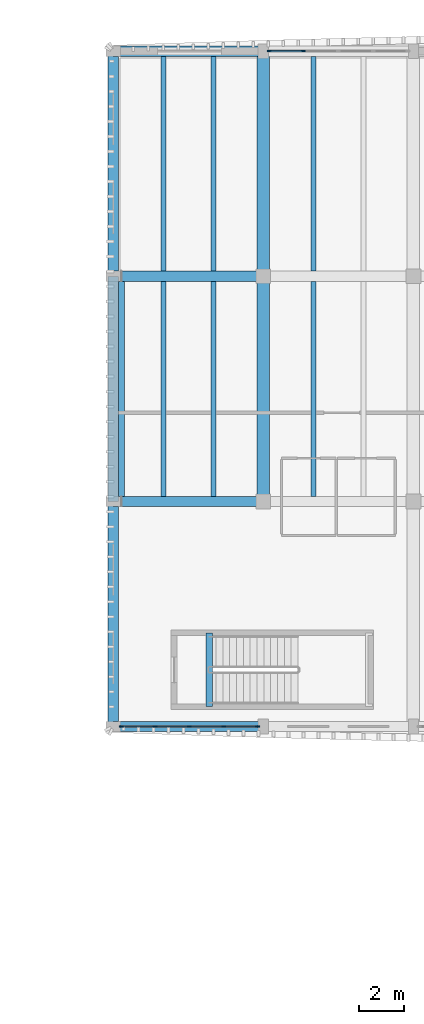
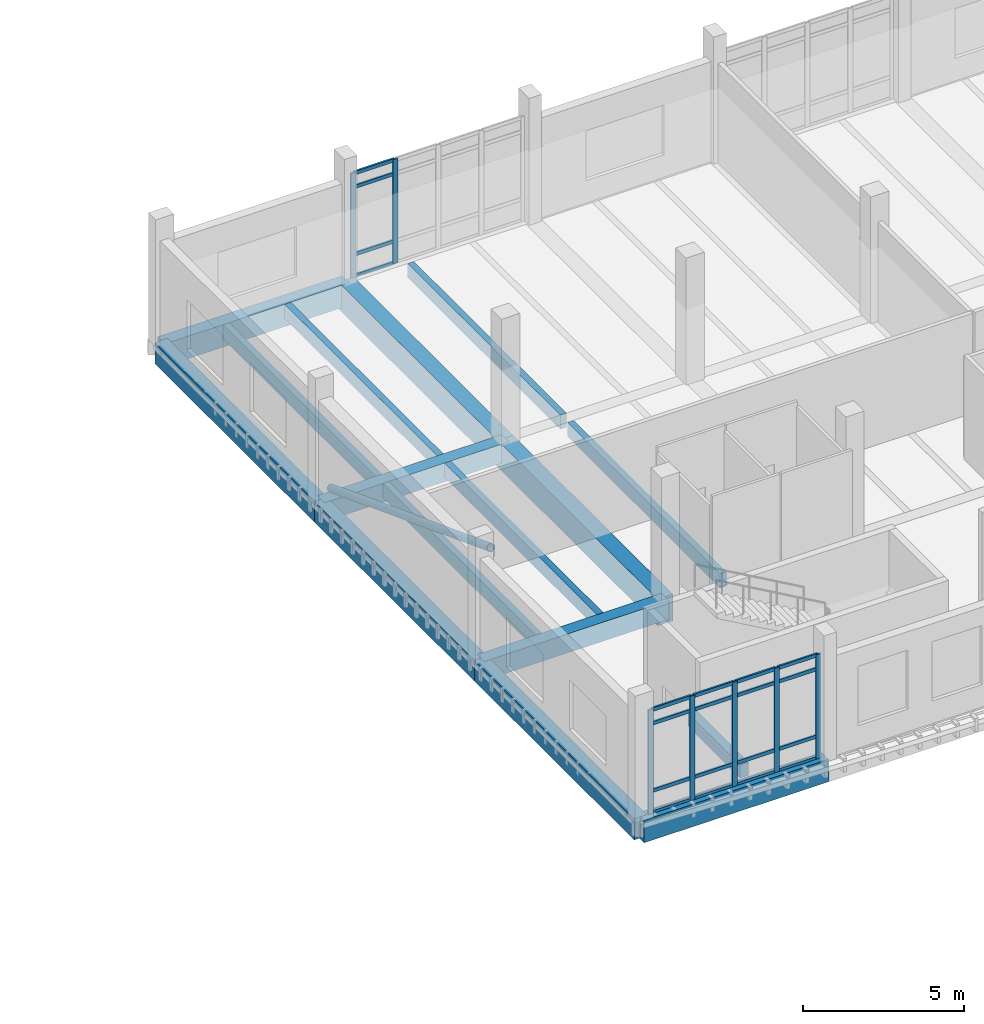
# One storey, part 22 of 76: 28 members, 16 beams, 2 elements without a shape of their own.
"""IFC4 building model written with IfcOpenShell, lengths in metres."""

from ifc_helpers import new_model, si_unit, direction, frame, origin, origin_2d, place, context, subcontext, project, spatial, rectangle, hollow_circle, extrude, material, material_profile, profile_set, type_object, element, aggregate, save


model = new_model("IFC4")

# Units and contexts
model_context = context("Model", 3, precision=1e-05, world=origin(), true_north=direction((0.0, 1.0)))
body_context = subcontext(model_context, "Body", "Model", "MODEL_VIEW")
ifc_project = project(units=[si_unit("LENGTHUNIT", "METRE"), si_unit("AREAUNIT", "SQUARE_METRE"), si_unit("VOLUMEUNIT", "CUBIC_METRE"), si_unit("PLANEANGLEUNIT", "RADIAN"), si_unit("MASSUNIT", "GRAM", prefix="KILO")], contexts=[model_context])

# Site, building, storey
site_placement = place(None, origin())
site = spatial("IfcSite", under=ifc_project, at=site_placement, CompositionType="ELEMENT")
building_placement = place(site_placement, origin())
building = spatial("IfcBuilding", under=site, at=building_placement, Name="Dornvale Research Institute", CompositionType="ELEMENT")
storey_placement = place(building_placement, frame((0.0, 0.0, 15.0)))
storey = spatial("IfcBuildingStorey", under=building, at=storey_placement, Name="L03", CompositionType="ELEMENT", Elevation=15.0)

# Beams
ifc_material_1 = material(Name="Concrete f'c 45 MPa (C35/45)", Category="concrete")
ifc_material_profile_1 = material_profile(ifc_material_1, rectangle(XDim=0.300048828125, YDim=0.5, at=origin_2d()), Name="RC 300x500")
ifc_profile_set_1 = profile_set([ifc_material_profile_1], Name="Concrete f'c 45 MPa (C35/45)")
beam_type_1 = type_object("IfcBeamType", Name="Beam_RC300x500_Trim", PredefinedType="BEAM", material=ifc_profile_set_1)
beam_1_placement = place(storey_placement, frame((123.02001953125, 93.280029296875, -0.25), z_axis=(0.0, 1.0, 0.0), x_axis=(-1.0, 0.0, 0.0)))
element("IfcBeam", 1, at=beam_1_placement, inside=storey, type_object=beam_type_1, Name="L03 ST-3 stair landing trimmer beam #50", PredefinedType="BEAM", context=body_context, shape_type="SweptSolid", body=[
    extrude(rectangle(XDim=0.300048828125, YDim=0.5, at=origin_2d()), origin(), (0.0, 0.0, 1.0), 3.239990234375),
])
ifc_material_2 = material(Name="Concrete f'c 45 MPa (C35/45)", Category="concrete")
ifc_material_profile_2 = material_profile(ifc_material_2, rectangle(XDim=0.449951171875, YDim=0.715087890625, at=origin_2d()), Name="RC 450x715")
ifc_profile_set_2 = profile_set([ifc_material_profile_2], Name="Concrete f'c 45 MPa (C35/45)")
beam_type_2 = type_object("IfcBeamType", Name="Beam_RC450x715_Lab", PredefinedType="BEAM", material=ifc_profile_set_2)
for number, where, z_axis, x_axis, name in (
    (2, (118.800048828125, 102.300048828125, -0.357421875), (1.0, 0.0, 0.0), (0.0, 1.0, 0.0), "L03 primary girder #925"),
    (3, (118.800048828125, 112.199951171875, -0.357421875), (1.0, 0.0, 0.0), (0.0, 1.0, 0.0), "L03 primary girder #934"),
):
    element("IfcBeam", number, at=place(storey_placement, frame(where, z_axis=z_axis, x_axis=x_axis)), inside=storey, type_object=beam_type_2, Name=name, PredefinedType="BEAM", context=body_context, shape_type="SweptSolid", body=[
        extrude(rectangle(XDim=0.449951171875, YDim=0.715087890625, at=origin_2d()), origin(), (0.0, 0.0, 1.0), 6.599853515625),
    ])
ifc_material_3 = material(Name="Concrete f'c 45 MPa (C35/45)", Category="concrete")
ifc_material_profile_3 = material_profile(ifc_material_3, rectangle(XDim=0.550048828125, YDim=1.0, at=origin_2d()), Name="RC 550x1000")
ifc_profile_set_3 = profile_set([ifc_material_profile_3], Name="Concrete f'c 45 MPa (C35/45)")
beam_type_3 = type_object("IfcBeamType", Name="Beam_RC550x1000_Girder", PredefinedType="BEAM", material=ifc_profile_set_3)
beam_2_placement = place(storey_placement, frame((125.39990234375, 102.300048828125, -0.5), z_axis=(0.0, 1.0, 0.0), x_axis=(-1.0, 0.0, 0.0)))
element("IfcBeam", 4, at=beam_2_placement, inside=storey, type_object=beam_type_3, Name="L03 transverse girder #955", PredefinedType="BEAM", context=body_context, shape_type="SweptSolid", body=[
    extrude(rectangle(XDim=0.550048828125, YDim=1.0, at=origin_2d()), origin(), (0.0, 0.0, 1.0), 9.89990234375),
])
beam_3_placement = place(storey_placement, frame((125.39990234375, 112.199951171875, -0.5), z_axis=(0.0, 1.0, 0.0), x_axis=(-1.0, 0.0, 0.0)))
element("IfcBeam", 5, at=beam_3_placement, inside=storey, type_object=beam_type_3, Name="L03 transverse girder #956", PredefinedType="BEAM", context=body_context, shape_type="SweptSolid", body=[
    extrude(rectangle(XDim=0.550048828125, YDim=1.0, at=origin_2d()), origin(), (0.0, 0.0, 1.0), 9.900146484375),
])

# Member
ifc_material_4 = material(Name="Steel ASTM A500 Grade C", Category="steel")
ifc_material_profile_4 = material_profile(ifc_material_4, hollow_circle(Radius=0.136474609375, WallThickness=0.01171875, at=origin_2d()), Name="HSS273X12.7")
ifc_profile_set_4 = profile_set([ifc_material_profile_4], Name="Steel ASTM A500 Grade C")
member_type_1 = type_object("IfcMemberType", Name="Brace_HSS273_Round", PredefinedType="BRACE", material=ifc_profile_set_4)
member_1_placement = place(storey_placement, frame((119.159912109375, 112.199951171875, 0.300048828125), z_axis=(0.0, -0.935158287794, 0.354230118385), x_axis=(1.0, 0.0, 0.0)))
element("IfcMember", 6, at=member_1_placement, inside=storey, type_object=member_type_1, Name="L03 seismic diagonal brace #47", PredefinedType="BRACE", context=body_context, shape_type="SweptSolid", body=[
    extrude(hollow_circle(Radius=0.136474609375, WallThickness=0.01171875, at=origin_2d()), origin(), (0.0, 0.0, 1.0), 10.58642578125),
])

# Beams
ifc_material_5 = material(Name="Concrete f'c 45 MPa (C35/45)", Category="concrete")
ifc_material_profile_5 = material_profile(ifc_material_5, rectangle(XDim=0.219970703125, YDim=0.534912109375, at=origin_2d()), Name="RC 220x535")
ifc_profile_set_5 = profile_set([ifc_material_profile_5], Name="Concrete f'c 45 MPa (C35/45)")
beam_type_4 = type_object("IfcBeamType", Name="Joist_RC220x535_Waffle", PredefinedType="JOIST", material=ifc_profile_set_5)
for number, where, z_axis, x_axis, name in (
    (7, (121.0, 102.52490234375, -0.267578125), (0.0, 1.0, 0.0), (-1.0, 0.0, 0.0), "L03 laboratory waffle joist #452"),
    (8, (123.199951171875, 102.52490234375, -0.267578125), (0.0, 1.0, 0.0), (-1.0, 0.0, 0.0), "L03 laboratory waffle joist #453"),
):
    element("IfcBeam", number, at=place(storey_placement, frame(where, z_axis=z_axis, x_axis=x_axis)), inside=storey, type_object=beam_type_4, Name=name, PredefinedType="JOIST", context=body_context, shape_type="SweptSolid", body=[
        extrude(rectangle(XDim=0.219970703125, YDim=0.534912109375, at=origin_2d()), origin(), (0.0, 0.0, 1.0), 9.4501953125),
    ])
for number, where, z_axis, x_axis, name in (
    (9, (121.0, 112.425048828125, -0.267578125), (0.0, 1.0, 0.0), (-1.0, 0.0, 0.0), "L03 laboratory waffle joist #454"),
    (10, (123.199951171875, 112.425048828125, -0.267578125), (0.0, 1.0, 0.0), (-1.0, 0.0, 0.0), "L03 laboratory waffle joist #455"),
):
    element("IfcBeam", number, at=place(storey_placement, frame(where, z_axis=z_axis, x_axis=x_axis)), inside=storey, type_object=beam_type_4, Name=name, PredefinedType="JOIST", context=body_context, shape_type="SweptSolid", body=[
        extrude(rectangle(XDim=0.219970703125, YDim=0.534912109375, at=origin_2d()), origin(), (0.0, 0.0, 1.0), 9.449951171875),
    ])
beam_4_placement = place(storey_placement, frame((127.60009765625, 102.52490234375, -0.267578125), z_axis=(0.0, 1.0, 0.0), x_axis=(-1.0, 0.0, 0.0)))
element("IfcBeam", 11, at=beam_4_placement, inside=storey, type_object=beam_type_4, Name="L03 laboratory waffle joist #456", PredefinedType="JOIST", context=body_context, shape_type="SweptSolid", body=[
    extrude(rectangle(XDim=0.219970703125, YDim=0.534912109375, at=origin_2d()), origin(), (0.0, 0.0, 1.0), 9.4501953125),
])
beam_5_placement = place(storey_placement, frame((127.60009765625, 112.425048828125, -0.267578125), z_axis=(0.0, 1.0, 0.0), x_axis=(-1.0, 0.0, 0.0)))
element("IfcBeam", 12, at=beam_5_placement, inside=storey, type_object=beam_type_4, Name="L03 laboratory waffle joist #458", PredefinedType="JOIST", context=body_context, shape_type="SweptSolid", body=[
    extrude(rectangle(XDim=0.219970703125, YDim=0.534912109375, at=origin_2d()), origin(), (0.0, 0.0, 1.0), 9.449951171875),
])

# Curtain wall, members
ifc_material_6 = material(Name="Low-E Argon Double Insulating Glazing Unit", Category="glass")
curtain_wall_type_1 = type_object("IfcCurtainWallType", Name="UnitisedCurtainWall_V4_6150x3950", PredefinedType="USERDEFINED", material=ifc_material_6)
curtain_wall_1_placement = place(storey_placement, origin())
curtain_wall_1 = element("IfcCurtainWall", 13, at=curtain_wall_1_placement, inside=storey, type_object=curtain_wall_type_1, Name="L03 V4 unitised curtain wall CW-15 #91", ObjectType="UNITISED CURTAIN WALL", PredefinedType="USERDEFINED")
ifc_material_7 = material(Name="Anodized Aluminum AA 6063-T6 Thermally Broken Frame", Category="aluminium")
ifc_material_profile_6 = material_profile(ifc_material_7, rectangle(XDim=0.06494140625, YDim=0.179931640625, at=origin_2d()), Name="ALU MULLION 65x180")
ifc_profile_set_6 = profile_set([ifc_material_profile_6], Name="Anodized Aluminum AA 6063-T6 Thermally Broken Frame")
member_type_2 = type_object("IfcMemberType", Name="Mullion_CW_65x180", PredefinedType="MULLION", material=ifc_profile_set_6)
member_2_placement = place(storey_placement, frame((125.657470703125, 122.10009765625, 0.0), z_axis=(0.0, 0.0, 1.0), x_axis=(0.0, 1.0, 0.0)))
member_2 = element("IfcMember", 14, at=member_2_placement, type_object=member_type_2, Name="CW-15 mullion 1", PredefinedType="MULLION", context=body_context, shape_type="SweptSolid", body=[
    extrude(rectangle(XDim=0.06494140625, YDim=0.179931640625, at=origin_2d()), origin(), (0.0, 0.0, 1.0), 3.949951171875),
])
member_3_placement = place(storey_placement, frame((127.16259765625, 122.10009765625, 0.0), z_axis=(0.0, 0.0, 1.0), x_axis=(0.0, 1.0, 0.0)))
member_3 = element("IfcMember", 15, at=member_3_placement, type_object=member_type_2, Name="CW-15 mullion 2", PredefinedType="MULLION", context=body_context, shape_type="SweptSolid", body=[
    extrude(rectangle(XDim=0.06494140625, YDim=0.179931640625, at=origin_2d()), origin(), (0.0, 0.0, 1.0), 3.949951171875),
])

ifc_material_8 = material(Name="Low-E Argon Double Insulating Glazing Unit", Category="glass")
curtain_wall_type_2 = type_object("IfcCurtainWallType", Name="UnitisedCurtainWall_V4_6050x3950", PredefinedType="USERDEFINED", material=ifc_material_8)
curtain_wall_2_placement = place(storey_placement, origin())
curtain_wall_2 = element("IfcCurtainWall", 16, at=curtain_wall_2_placement, inside=storey, type_object=curtain_wall_type_2, Name="L03 V4 unitised curtain wall CW-18 #99", ObjectType="UNITISED CURTAIN WALL", PredefinedType="USERDEFINED")
member_4_placement = place(storey_placement, frame((125.142578125, 92.39990234375, 0.0), z_axis=(0.0, 0.0, 1.0), x_axis=(0.0, -1.0, 0.0)))
member_4 = element("IfcMember", 17, at=member_4_placement, type_object=member_type_2, Name="CW-18 mullion 1", PredefinedType="MULLION", context=body_context, shape_type="SweptSolid", body=[
    extrude(rectangle(XDim=0.06494140625, YDim=0.179931640625, at=origin_2d()), origin(), (0.0, 0.0, 1.0), 3.949951171875),
])
member_5_placement = place(storey_placement, frame((123.66259765625, 92.39990234375, 0.0), z_axis=(0.0, 0.0, 1.0), x_axis=(0.0, -1.0, 0.0)))
member_5 = element("IfcMember", 18, at=member_5_placement, type_object=member_type_2, Name="CW-18 mullion 2", PredefinedType="MULLION", context=body_context, shape_type="SweptSolid", body=[
    extrude(rectangle(XDim=0.06494140625, YDim=0.179931640625, at=origin_2d()), origin(), (0.0, 0.0, 1.0), 3.949951171875),
])
member_6_placement = place(storey_placement, frame((122.14990234375, 92.39990234375, 0.0), z_axis=(0.0, 0.0, 1.0), x_axis=(0.0, -1.0, 0.0)))
member_6 = element("IfcMember", 19, at=member_6_placement, type_object=member_type_2, Name="CW-18 mullion 3", PredefinedType="MULLION", context=body_context, shape_type="SweptSolid", body=[
    extrude(rectangle(XDim=0.06494140625, YDim=0.179931640625, at=origin_2d()), origin(), (0.0, 0.0, 1.0), 3.949951171875),
])
member_7_placement = place(storey_placement, frame((120.637451171875, 92.39990234375, 0.0), z_axis=(0.0, 0.0, 1.0), x_axis=(0.0, -1.0, 0.0)))
member_7 = element("IfcMember", 20, at=member_7_placement, type_object=member_type_2, Name="CW-18 mullion 4", PredefinedType="MULLION", context=body_context, shape_type="SweptSolid", body=[
    extrude(rectangle(XDim=0.06494140625, YDim=0.179931640625, at=origin_2d()), origin(), (0.0, 0.0, 1.0), 3.949951171875),
])
member_8_placement = place(storey_placement, frame((119.157470703125, 92.39990234375, 0.0), z_axis=(0.0, 0.0, 1.0), x_axis=(0.0, -1.0, 0.0)))
member_8 = element("IfcMember", 21, at=member_8_placement, type_object=member_type_2, Name="CW-18 mullion 5", PredefinedType="MULLION", context=body_context, shape_type="SweptSolid", body=[
    extrude(rectangle(XDim=0.06494140625, YDim=0.179931640625, at=origin_2d()), origin(), (0.0, 0.0, 1.0), 3.949951171875),
])

# Beams
ifc_material_9 = material(Name="Concrete f'c 45 MPa (C35/45)", Category="concrete")
ifc_material_profile_7 = material_profile(ifc_material_9, rectangle(XDim=0.449951171875, YDim=0.800048828125, at=origin_2d()), Name="RC 450x800")
ifc_profile_set_7 = profile_set([ifc_material_profile_7], Name="Concrete f'c 45 MPa (C35/45)")
beam_type_5 = type_object("IfcBeamType", Name="Spandrel_RC450x800_Ext", PredefinedType="SPANDREL", material=ifc_profile_set_7)
beam_6_placement = place(storey_placement, frame((118.800048828125, 92.39990234375, -0.39990234375), z_axis=(0.0, 1.0, 0.0), x_axis=(-1.0, 0.0, 0.0)))
element("IfcBeam", 22, at=beam_6_placement, inside=storey, type_object=beam_type_5, Name="L03 perimeter spandrel #952", PredefinedType="SPANDREL", context=body_context, shape_type="SweptSolid", body=[
    extrude(rectangle(XDim=0.449951171875, YDim=0.800048828125, at=origin_2d()), origin(), (0.0, 0.0, 1.0), 9.900146484375),
])
beam_7_placement = place(storey_placement, frame((118.800048828125, 102.300048828125, -0.39990234375), z_axis=(0.0, 1.0, 0.0), x_axis=(-1.0, 0.0, 0.0)))
element("IfcBeam", 23, at=beam_7_placement, inside=storey, type_object=beam_type_5, Name="L03 perimeter spandrel #953", PredefinedType="SPANDREL", context=body_context, shape_type="SweptSolid", body=[
    extrude(rectangle(XDim=0.449951171875, YDim=0.800048828125, at=origin_2d()), origin(), (0.0, 0.0, 1.0), 9.89990234375),
])
beam_8_placement = place(storey_placement, frame((118.800048828125, 112.199951171875, -0.39990234375), z_axis=(0.0, 1.0, 0.0), x_axis=(-1.0, 0.0, 0.0)))
element("IfcBeam", 24, at=beam_8_placement, inside=storey, type_object=beam_type_5, Name="L03 perimeter spandrel #954", PredefinedType="SPANDREL", context=body_context, shape_type="SweptSolid", body=[
    extrude(rectangle(XDim=0.449951171875, YDim=0.800048828125, at=origin_2d()), origin(), (0.0, 0.0, 1.0), 9.900146484375),
])
ifc_material_10 = material(Name="Concrete f'c 45 MPa (C35/45)", Category="concrete")
ifc_material_profile_8 = material_profile(ifc_material_10, rectangle(XDim=0.449951171875, YDim=0.85009765625, at=origin_2d()), Name="RC 450x850")
ifc_profile_set_8 = profile_set([ifc_material_profile_8], Name="Concrete f'c 45 MPa (C35/45)")
beam_type_6 = type_object("IfcBeamType", Name="Spandrel_RC450x850_Ext", PredefinedType="SPANDREL", material=ifc_profile_set_8)
for number, where, z_axis, x_axis, name in (
    (25, (118.800048828125, 92.39990234375, -0.425048828125), (1.0, 0.0, 0.0), (0.0, 1.0, 0.0), "L03 perimeter spandrel #916"),
    (26, (118.800048828125, 122.10009765625, -0.425048828125), (1.0, 0.0, 0.0), (0.0, 1.0, 0.0), "L03 perimeter spandrel #943"),
):
    element("IfcBeam", number, at=place(storey_placement, frame(where, z_axis=z_axis, x_axis=x_axis)), inside=storey, type_object=beam_type_6, Name=name, PredefinedType="SPANDREL", context=body_context, shape_type="SweptSolid", body=[
        extrude(rectangle(XDim=0.449951171875, YDim=0.85009765625, at=origin_2d()), origin(), (0.0, 0.0, 1.0), 6.599853515625),
    ])

# Member
ifc_material_11 = material(Name="Anodized Aluminum AA 6063-T6 Thermally Broken Frame", Category="aluminium")
ifc_material_profile_9 = material_profile(ifc_material_11, rectangle(XDim=0.06494140625, YDim=0.135009765625, at=origin_2d()), Name="ALU TRANSOM 65x135")
ifc_profile_set_9 = profile_set([ifc_material_profile_9], Name="Anodized Aluminum AA 6063-T6 Thermally Broken Frame")
member_type_3 = type_object("IfcMemberType", Name="Transom_CW_65x135", PredefinedType="USERDEFINED", material=ifc_profile_set_9)
member_9_placement = place(storey_placement, frame((125.68994140625, 122.10009765625, 0.032470703125), z_axis=(1.0, 0.0, 0.0), x_axis=(0.0, 1.0, 0.0)))
member_9 = element("IfcMember", 27, at=member_9_placement, type_object=member_type_3, Name="CW-15 transom 1.1", ObjectType="TRANSOM", PredefinedType="USERDEFINED", context=body_context, shape_type="SweptSolid", body=[
    extrude(rectangle(XDim=0.06494140625, YDim=0.135009765625, at=origin_2d()), origin(), (0.0, 0.0, 1.0), 1.43994140625),
])

member_10_placement = place(storey_placement, frame((125.68994140625, 122.10009765625, 0.85009765625), z_axis=(1.0, 0.0, 0.0), x_axis=(0.0, 1.0, 0.0)))
member_10 = element("IfcMember", 28, at=member_10_placement, type_object=member_type_3, Name="CW-15 transom 1.2", ObjectType="TRANSOM", PredefinedType="USERDEFINED", context=body_context, shape_type="SweptSolid", body=[
    extrude(rectangle(XDim=0.06494140625, YDim=0.135009765625, at=origin_2d()), origin(), (0.0, 0.0, 1.0), 1.43994140625),
])

member_11_placement = place(storey_placement, frame((125.68994140625, 122.10009765625, 3.39990234375), z_axis=(1.0, 0.0, 0.0), x_axis=(0.0, 1.0, 0.0)))
member_11 = element("IfcMember", 29, at=member_11_placement, type_object=member_type_3, Name="CW-15 transom 1.3", ObjectType="TRANSOM", PredefinedType="USERDEFINED", context=body_context, shape_type="SweptSolid", body=[
    extrude(rectangle(XDim=0.06494140625, YDim=0.135009765625, at=origin_2d()), origin(), (0.0, 0.0, 1.0), 1.43994140625),
])

member_12_placement = place(storey_placement, frame((125.68994140625, 122.10009765625, 3.91748046875), z_axis=(1.0, 0.0, 0.0), x_axis=(0.0, 1.0, 0.0)))
member_12 = element("IfcMember", 30, at=member_12_placement, type_object=member_type_3, Name="CW-15 transom 1.4", ObjectType="TRANSOM", PredefinedType="USERDEFINED", context=body_context, shape_type="SweptSolid", body=[
    extrude(rectangle(XDim=0.06494140625, YDim=0.135009765625, at=origin_2d()), origin(), (0.0, 0.0, 1.0), 1.43994140625),
])

aggregate(curtain_wall_1, [member_2, member_3, member_9, member_10, member_11, member_12])

member_13_placement = place(storey_placement, frame((125.110107421875, 92.39990234375, 0.032470703125), z_axis=(-1.0, 0.0, 0.0), x_axis=(0.0, -1.0, 0.0)))
member_13 = element("IfcMember", 31, at=member_13_placement, type_object=member_type_3, Name="CW-18 transom 1.1", ObjectType="TRANSOM", PredefinedType="USERDEFINED", context=body_context, shape_type="SweptSolid", body=[
    extrude(rectangle(XDim=0.06494140625, YDim=0.135009765625, at=origin_2d()), origin(), (0.0, 0.0, 1.0), 1.4150390625),
])

member_14_placement = place(storey_placement, frame((125.110107421875, 92.39990234375, 0.85009765625), z_axis=(-1.0, 0.0, 0.0), x_axis=(0.0, -1.0, 0.0)))
member_14 = element("IfcMember", 32, at=member_14_placement, type_object=member_type_3, Name="CW-18 transom 1.2", ObjectType="TRANSOM", PredefinedType="USERDEFINED", context=body_context, shape_type="SweptSolid", body=[
    extrude(rectangle(XDim=0.06494140625, YDim=0.135009765625, at=origin_2d()), origin(), (0.0, 0.0, 1.0), 1.4150390625),
])

member_15_placement = place(storey_placement, frame((125.110107421875, 92.39990234375, 3.39990234375), z_axis=(-1.0, 0.0, 0.0), x_axis=(0.0, -1.0, 0.0)))
member_15 = element("IfcMember", 33, at=member_15_placement, type_object=member_type_3, Name="CW-18 transom 1.3", ObjectType="TRANSOM", PredefinedType="USERDEFINED", context=body_context, shape_type="SweptSolid", body=[
    extrude(rectangle(XDim=0.06494140625, YDim=0.135009765625, at=origin_2d()), origin(), (0.0, 0.0, 1.0), 1.4150390625),
])

member_16_placement = place(storey_placement, frame((125.110107421875, 92.39990234375, 3.91748046875), z_axis=(-1.0, 0.0, 0.0), x_axis=(0.0, -1.0, 0.0)))
member_16 = element("IfcMember", 34, at=member_16_placement, type_object=member_type_3, Name="CW-18 transom 1.4", ObjectType="TRANSOM", PredefinedType="USERDEFINED", context=body_context, shape_type="SweptSolid", body=[
    extrude(rectangle(XDim=0.06494140625, YDim=0.135009765625, at=origin_2d()), origin(), (0.0, 0.0, 1.0), 1.4150390625),
])

member_17_placement = place(storey_placement, frame((123.6298828125, 92.39990234375, 0.032470703125), z_axis=(-1.0, 0.0, 0.0), x_axis=(0.0, -1.0, 0.0)))
member_17 = element("IfcMember", 35, at=member_17_placement, type_object=member_type_3, Name="CW-18 transom 2.1", ObjectType="TRANSOM", PredefinedType="USERDEFINED", context=body_context, shape_type="SweptSolid", body=[
    extrude(rectangle(XDim=0.06494140625, YDim=0.135009765625, at=origin_2d()), origin(), (0.0, 0.0, 1.0), 1.447265625),
])

member_18_placement = place(storey_placement, frame((123.6298828125, 92.39990234375, 0.85009765625), z_axis=(-1.0, 0.0, 0.0), x_axis=(0.0, -1.0, 0.0)))
member_18 = element("IfcMember", 36, at=member_18_placement, type_object=member_type_3, Name="CW-18 transom 2.2", ObjectType="TRANSOM", PredefinedType="USERDEFINED", context=body_context, shape_type="SweptSolid", body=[
    extrude(rectangle(XDim=0.06494140625, YDim=0.135009765625, at=origin_2d()), origin(), (0.0, 0.0, 1.0), 1.447265625),
])

member_19_placement = place(storey_placement, frame((123.6298828125, 92.39990234375, 3.39990234375), z_axis=(-1.0, 0.0, 0.0), x_axis=(0.0, -1.0, 0.0)))
member_19 = element("IfcMember", 37, at=member_19_placement, type_object=member_type_3, Name="CW-18 transom 2.3", ObjectType="TRANSOM", PredefinedType="USERDEFINED", context=body_context, shape_type="SweptSolid", body=[
    extrude(rectangle(XDim=0.06494140625, YDim=0.135009765625, at=origin_2d()), origin(), (0.0, 0.0, 1.0), 1.447265625),
])

member_20_placement = place(storey_placement, frame((123.6298828125, 92.39990234375, 3.91748046875), z_axis=(-1.0, 0.0, 0.0), x_axis=(0.0, -1.0, 0.0)))
member_20 = element("IfcMember", 38, at=member_20_placement, type_object=member_type_3, Name="CW-18 transom 2.4", ObjectType="TRANSOM", PredefinedType="USERDEFINED", context=body_context, shape_type="SweptSolid", body=[
    extrude(rectangle(XDim=0.06494140625, YDim=0.135009765625, at=origin_2d()), origin(), (0.0, 0.0, 1.0), 1.447265625),
])

member_21_placement = place(storey_placement, frame((122.117431640625, 92.39990234375, 0.032470703125), z_axis=(-1.0, 0.0, 0.0), x_axis=(0.0, -1.0, 0.0)))
member_21 = element("IfcMember", 39, at=member_21_placement, type_object=member_type_3, Name="CW-18 transom 3.1", ObjectType="TRANSOM", PredefinedType="USERDEFINED", context=body_context, shape_type="SweptSolid", body=[
    extrude(rectangle(XDim=0.06494140625, YDim=0.135009765625, at=origin_2d()), origin(), (0.0, 0.0, 1.0), 1.447509765625),
])

member_22_placement = place(storey_placement, frame((122.117431640625, 92.39990234375, 0.85009765625), z_axis=(-1.0, 0.0, 0.0), x_axis=(0.0, -1.0, 0.0)))
member_22 = element("IfcMember", 40, at=member_22_placement, type_object=member_type_3, Name="CW-18 transom 3.2", ObjectType="TRANSOM", PredefinedType="USERDEFINED", context=body_context, shape_type="SweptSolid", body=[
    extrude(rectangle(XDim=0.06494140625, YDim=0.135009765625, at=origin_2d()), origin(), (0.0, 0.0, 1.0), 1.447509765625),
])

member_23_placement = place(storey_placement, frame((122.117431640625, 92.39990234375, 3.39990234375), z_axis=(-1.0, 0.0, 0.0), x_axis=(0.0, -1.0, 0.0)))
member_23 = element("IfcMember", 41, at=member_23_placement, type_object=member_type_3, Name="CW-18 transom 3.3", ObjectType="TRANSOM", PredefinedType="USERDEFINED", context=body_context, shape_type="SweptSolid", body=[
    extrude(rectangle(XDim=0.06494140625, YDim=0.135009765625, at=origin_2d()), origin(), (0.0, 0.0, 1.0), 1.447509765625),
])

member_24_placement = place(storey_placement, frame((122.117431640625, 92.39990234375, 3.91748046875), z_axis=(-1.0, 0.0, 0.0), x_axis=(0.0, -1.0, 0.0)))
member_24 = element("IfcMember", 42, at=member_24_placement, type_object=member_type_3, Name="CW-18 transom 3.4", ObjectType="TRANSOM", PredefinedType="USERDEFINED", context=body_context, shape_type="SweptSolid", body=[
    extrude(rectangle(XDim=0.06494140625, YDim=0.135009765625, at=origin_2d()), origin(), (0.0, 0.0, 1.0), 1.447509765625),
])

member_25_placement = place(storey_placement, frame((120.60498046875, 92.39990234375, 0.032470703125), z_axis=(-1.0, 0.0, 0.0), x_axis=(0.0, -1.0, 0.0)))
member_25 = element("IfcMember", 43, at=member_25_placement, type_object=member_type_3, Name="CW-18 transom 4.1", ObjectType="TRANSOM", PredefinedType="USERDEFINED", context=body_context, shape_type="SweptSolid", body=[
    extrude(rectangle(XDim=0.06494140625, YDim=0.135009765625, at=origin_2d()), origin(), (0.0, 0.0, 1.0), 1.4150390625),
])

member_26_placement = place(storey_placement, frame((120.60498046875, 92.39990234375, 0.85009765625), z_axis=(-1.0, 0.0, 0.0), x_axis=(0.0, -1.0, 0.0)))
member_26 = element("IfcMember", 44, at=member_26_placement, type_object=member_type_3, Name="CW-18 transom 4.2", ObjectType="TRANSOM", PredefinedType="USERDEFINED", context=body_context, shape_type="SweptSolid", body=[
    extrude(rectangle(XDim=0.06494140625, YDim=0.135009765625, at=origin_2d()), origin(), (0.0, 0.0, 1.0), 1.4150390625),
])

member_27_placement = place(storey_placement, frame((120.60498046875, 92.39990234375, 3.39990234375), z_axis=(-1.0, 0.0, 0.0), x_axis=(0.0, -1.0, 0.0)))
member_27 = element("IfcMember", 45, at=member_27_placement, type_object=member_type_3, Name="CW-18 transom 4.3", ObjectType="TRANSOM", PredefinedType="USERDEFINED", context=body_context, shape_type="SweptSolid", body=[
    extrude(rectangle(XDim=0.06494140625, YDim=0.135009765625, at=origin_2d()), origin(), (0.0, 0.0, 1.0), 1.4150390625),
])

member_28_placement = place(storey_placement, frame((120.60498046875, 92.39990234375, 3.91748046875), z_axis=(-1.0, 0.0, 0.0), x_axis=(0.0, -1.0, 0.0)))
member_28 = element("IfcMember", 46, at=member_28_placement, type_object=member_type_3, Name="CW-18 transom 4.4", ObjectType="TRANSOM", PredefinedType="USERDEFINED", context=body_context, shape_type="SweptSolid", body=[
    extrude(rectangle(XDim=0.06494140625, YDim=0.135009765625, at=origin_2d()), origin(), (0.0, 0.0, 1.0), 1.4150390625),
])

aggregate(curtain_wall_2, [member_4, member_5, member_6, member_7, member_8, member_13, member_14, member_15, member_16, member_17, member_18, member_19, member_20, member_21, member_22, member_23, member_24, member_25, member_26, member_27, member_28])

save(model, "model.ifc")
